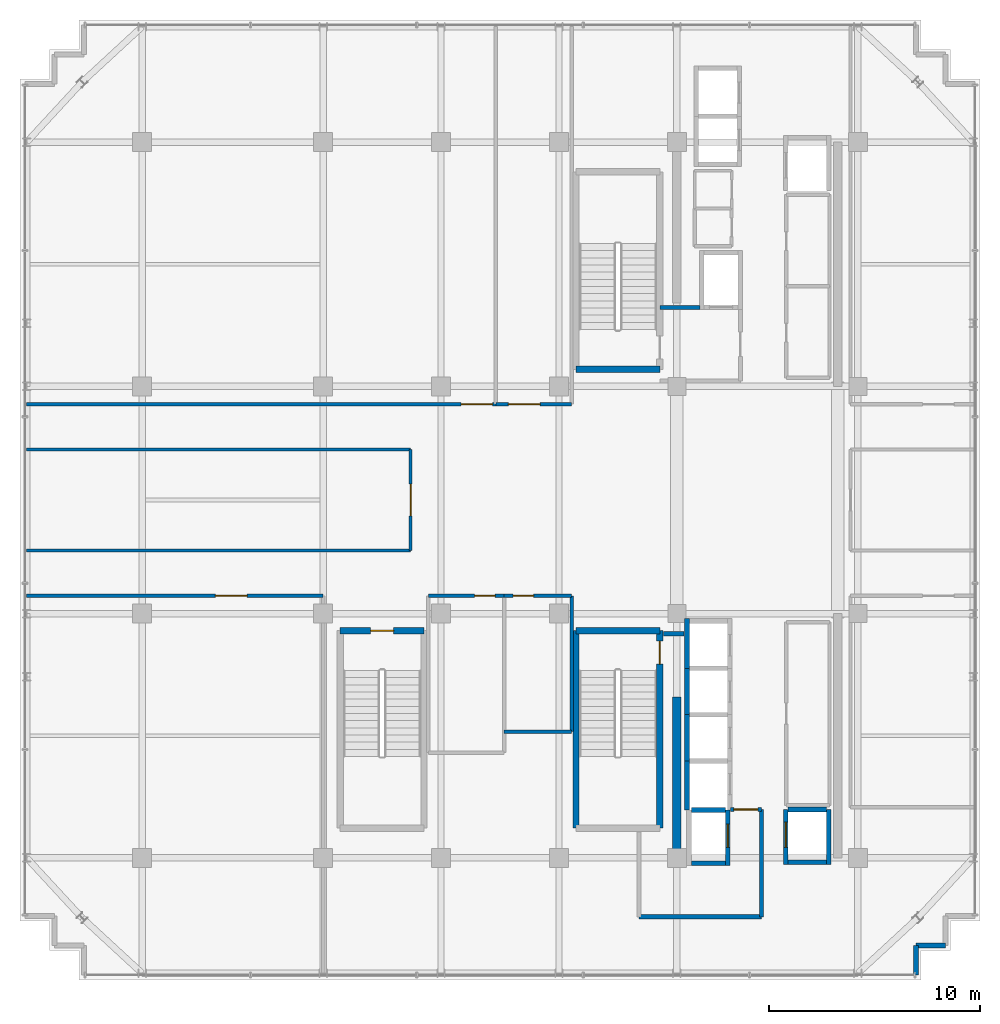
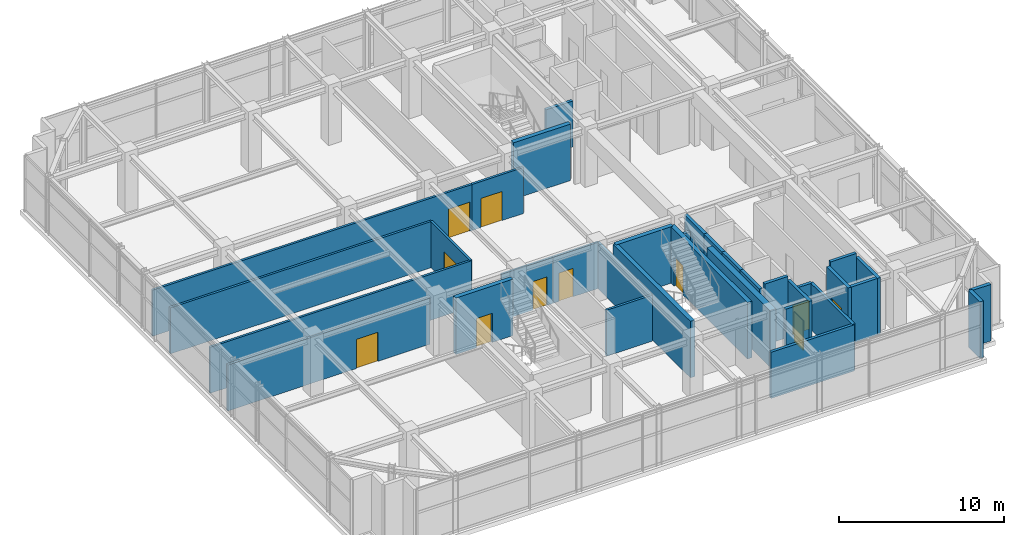
# One storey, part 17 of 20: 34 walls, 11 doors, 11 openings.
"""IFC4 building model written with IfcOpenShell, lengths in metres."""

from ifc_helpers import new_model, si_unit, direction, frame, frame_2d, origin, place, context, subcontext, project, spatial, rectangle, extrude, source, transform, mapped, material, layer, layer_set, type_object, element, fill, save


model = new_model("IFC4")

# Units and contexts
model_context = context("Model", 3, precision=1e-05, world=origin(), true_north=direction((0.0, 1.0)))
body_context = subcontext(model_context, "Body", "Model", "MODEL_VIEW")
ifc_project = project(units=[si_unit("LENGTHUNIT", "METRE"), si_unit("AREAUNIT", "SQUARE_METRE"), si_unit("VOLUMEUNIT", "CUBIC_METRE"), si_unit("PLANEANGLEUNIT", "RADIAN"), si_unit("MASSUNIT", "GRAM", prefix="KILO")], contexts=[model_context])

# Site, building, storey
site_placement = place(None, origin())
site = spatial("IfcSite", under=ifc_project, at=site_placement, CompositionType="ELEMENT")
building_placement = place(site_placement, origin())
building = spatial("IfcBuilding", under=site, at=building_placement, Name="Nahalor Promenade Grand Hotel", CompositionType="ELEMENT")
storey_placement = place(building_placement, frame((0.0, 0.0, 347.550048828125)))
storey = spatial("IfcBuildingStorey", under=building, at=storey_placement, Name="L89", CompositionType="ELEMENT", Elevation=347.550048828125)

# Walls
ifc_material_1 = material(Name="Concrete B-50 (C40/50)", Category="concrete")
ifc_layer_1 = layer(ifc_material_1, 0.39990234375)
ifc_layer_set_1 = layer_set([ifc_layer_1], Name="Concrete B-50 (C40/50)")
wall_type_1 = type_object("IfcWallType", Name="Wall-CoreShear-400", PredefinedType="SHEAR", material=ifc_layer_set_1)
shared_shape_1 = source(origin(), body_context, "Body", "SweptSolid", [
    extrude(rectangle(XDim=7.64990234375, YDim=0.39990234375, at=frame_2d((3.824951171875, 0.0))), origin(), (0.0, 0.0, 1.0), 4.169921875),
])
wall_1_placement = place(storey_placement, frame((8.39990234375, -17.0, 0.0), z_axis=(0.0, 0.0, 1.0), x_axis=(0.0, 1.0, 0.0)))
element("IfcWall", 1, at=wall_1_placement, inside=storey, type_object=wall_type_1, Name="CWALL-L89-SW", PredefinedType="SHEAR", context=body_context, shape_type="MappedRepresentation", body=[
    mapped(shared_shape_1, transform((0.0, 0.0, 0.0), scale=1.0)),
])
ifc_layer_2 = layer(ifc_material_1, 0.300048828125)
ifc_layer_set_2 = layer_set([ifc_layer_2], Name="Concrete B-50 (C40/50)")
wall_type_2 = type_object("IfcWallType", Name="Wall-ShaftShear-300", PredefinedType="SHEAR", material=ifc_layer_set_2)
shared_shape_2 = source(origin(), body_context, "Body", "SweptSolid", [
    extrude(rectangle(XDim=3.97998046875, YDim=0.300048828125, at=frame_2d((1.989990234375, 0.0))), origin(), (0.0, 0.0, 1.0), 4.169921875),
])
for number, where, z_axis, x_axis, name in (
    (2, (3.610107421875, 6.2099609375, 0.0), (0.0, 0.0, 1.0), (1.0, 0.0, 0.0), "L89 Exit Stair ST1 Shaft Wall S"),
    (3, (3.610107421875, -6.2099609375, 0.0), (0.0, 0.0, 1.0), (1.0, 0.0, 0.0), "L89 Exit Stair ST2 Shaft Wall N"),
):
    element("IfcWall", number, at=place(storey_placement, frame(where, z_axis=z_axis, x_axis=x_axis)), inside=storey, type_object=wall_type_2, Name=name, PredefinedType="SHEAR", context=body_context, shape_type="MappedRepresentation", body=[
        mapped(shared_shape_2, transform((0.0, 0.0, 0.0), scale=1.0)),
    ])

# Wall, opening, door
wall_2_placement = place(storey_placement, frame((-7.590087890625, -6.2099609375, 0.0), z_axis=(0.0, 0.0, 1.0), x_axis=(1.0, 0.0, 0.0)))
wall_2 = element("IfcWall", 4, at=wall_2_placement, inside=storey, type_object=wall_type_2, Name="L89 Exit Stair ST3 Shaft Wall N", PredefinedType="SHEAR", context=body_context, shape_type="MappedRepresentation", body=[
    mapped(shared_shape_2, transform((0.0, 0.0, 0.0), scale=1.0)),
])
opening_1_placement = place(wall_2_placement, frame((1.43994140625, 0.0, 0.0)))
opening_1 = element("IfcOpeningElement", 5, at=opening_1_placement, cuts=wall_2, Name="Opening D-ST1", PredefinedType="OPENING", context=body_context, shape_type="SweptSolid", body=[
    extrude(rectangle(XDim=1.10009765625, YDim=2.14990234375, at=frame_2d((0.550048828125, 1.074951171875))), frame((0.0, 0.159912109375, 0.0), z_axis=(0.0, -1.0, 0.0), x_axis=(1.0, 0.0, 0.0)), (0.0, 0.0, 1.0), 0.320068359375),
])
ifc_material_2 = material(Name="Steel S355JR", Category="steel")
door_type_1 = type_object("IfcDoorType", Name="Door-StairFire-1100", OperationType="NOTDEFINED", PredefinedType="DOOR", material=ifc_material_2)
shared_shape_3 = source(origin(), body_context, "Body", "SweptSolid", [
    extrude(rectangle(XDim=1.10009765625, YDim=2.14990234375, at=frame_2d((0.550048828125, 1.074951171875))), frame((0.0, 0.02490234375, 0.0), z_axis=(0.0, -1.0, 0.0), x_axis=(1.0, 0.0, 0.0)), (0.0, 0.0, 1.0), 0.050048828125),
])
door_1_placement = place(opening_1_placement, frame((1.10009765625, 0.0, 0.0), z_axis=(0.0, 0.0, 1.0), x_axis=(-1.0, 0.0, 0.0)))
door_1 = element("IfcDoor", 6, at=door_1_placement, inside=storey, type_object=door_type_1, Name="DR-STAIR-ST3-L89", OperationType="SINGLE_SWING_RIGHT", OverallHeight=2.14990234375, OverallWidth=1.10009765625, PredefinedType="DOOR", context=body_context, shape_type="MappedRepresentation", body=[
    mapped(shared_shape_3, transform((0.0, 0.0, 0.0), scale=1.0)),
])
fill(opening_1, door_1)

# Wall
shared_shape_4 = source(origin(), body_context, "Body", "SweptSolid", [
    extrude(rectangle(XDim=9.380126953125, YDim=0.300048828125, at=frame_2d((4.68994140625, 0.0))), origin(), (0.0, 0.0, 1.0), 4.169921875),
])
wall_3_placement = place(storey_placement, frame((3.610107421875, -15.590087890625, 0.0), z_axis=(0.0, 0.0, 1.0), x_axis=(0.0, 1.0, 0.0)))
element("IfcWall", 7, at=wall_3_placement, inside=storey, type_object=wall_type_2, Name="L89 Exit Stair ST2 Shaft Wall W", PredefinedType="SHEAR", context=body_context, shape_type="MappedRepresentation", body=[
    mapped(shared_shape_4, transform((0.0, 0.0, 0.0), scale=1.0)),
])

# Wall, opening, door
wall_4_placement = place(storey_placement, frame((7.590087890625, -15.590087890625, 0.0), z_axis=(0.0, 0.0, 1.0), x_axis=(0.0, 1.0, 0.0)))
wall_4 = element("IfcWall", 8, at=wall_4_placement, inside=storey, type_object=wall_type_2, Name="L89 Exit Stair ST2 Shaft Wall E", PredefinedType="SHEAR", context=body_context, shape_type="MappedRepresentation", body=[
    mapped(shared_shape_4, transform((0.0, 0.0, 0.0), scale=1.0)),
])
opening_2_placement = place(wall_4_placement, frame((7.7900390625, 0.0, 0.0)))
opening_2 = element("IfcOpeningElement", 9, at=opening_2_placement, cuts=wall_4, Name="Opening D-ST1", PredefinedType="OPENING", context=body_context, shape_type="SweptSolid", body=[
    extrude(rectangle(XDim=1.10009765625, YDim=2.14990234375, at=frame_2d((0.550048828125, 1.074951171875))), frame((0.0, 0.159912109375, 0.0), z_axis=(0.0, -1.0, 0.0), x_axis=(1.0, 0.0, 0.0)), (0.0, 0.0, 1.0), 0.320068359375),
])
door_2_placement = place(opening_2_placement, origin())
door_2 = element("IfcDoor", 10, at=door_2_placement, inside=storey, type_object=door_type_1, Name="DR-STAIR-ST2-L89", OperationType="SINGLE_SWING_RIGHT", OverallHeight=2.14990234375, OverallWidth=1.10009765625, PredefinedType="DOOR", context=body_context, shape_type="MappedRepresentation", body=[
    mapped(shared_shape_3, transform((0.0, 0.0, 0.0), scale=1.0)),
])
fill(opening_2, door_2)

# Walls
ifc_layer_3 = layer(ifc_material_1, 0.219970703125)
ifc_layer_set_3 = layer_set([ifc_layer_3], Name="Concrete B-50 (C40/50)")
wall_type_3 = type_object("IfcWallType", Name="Wall-LiftShaft-220", PredefinedType="SHEAR", material=ifc_layer_set_3)
shared_shape_5 = source(origin(), body_context, "Body", "SweptSolid", [
    extrude(rectangle(XDim=1.820068359375, YDim=0.219970703125, at=frame_2d((0.91015625, 0.0))), origin(), (0.0, 0.0, 1.0), 4.5),
])
wall_5_placement = place(storey_placement, frame((13.68994140625, -14.699951171875, 0.0), z_axis=(0.0, 0.0, 1.0), x_axis=(1.0, 0.0, 0.0)))
element("IfcWall", 11, at=wall_5_placement, inside=storey, type_object=wall_type_3, Name="L89 Lift SV2 Hoistway Wall N", PredefinedType="SHEAR", context=body_context, shape_type="MappedRepresentation", body=[
    mapped(shared_shape_5, transform((0.0, 0.0, 0.0), scale=1.0)),
])
shared_shape_6 = source(origin(), body_context, "Body", "SweptSolid", [
    extrude(rectangle(XDim=2.360107421875, YDim=0.219970703125, at=frame_2d((1.18017578125, 0.0))), origin(), (0.0, 0.0, 1.0), 4.169921875),
])
wall_6_placement = place(storey_placement, frame((8.8798828125, -8.0, 0.0), z_axis=(0.0, 0.0, 1.0), x_axis=(0.0, 1.0, 0.0)))
element("IfcWall", 12, at=wall_6_placement, inside=storey, type_object=wall_type_3, Name="L89 Lift PL9 Hoistway Wall W", PredefinedType="SHEAR", context=body_context, shape_type="MappedRepresentation", body=[
    mapped(shared_shape_6, transform((0.0, 0.0, 0.0), scale=1.0)),
])
shared_shape_7 = source(origin(), body_context, "Body", "SweptSolid", [
    extrude(rectangle(XDim=1.820068359375, YDim=0.219970703125, at=frame_2d((0.91015625, 0.0))), origin(), (0.0, 0.0, 1.0), 4.169921875),
])
wall_7_placement = place(storey_placement, frame((13.68994140625, -17.199951171875, 0.0), z_axis=(0.0, 0.0, 1.0), x_axis=(1.0, 0.0, 0.0)))
element("IfcWall", 13, at=wall_7_placement, inside=storey, type_object=wall_type_3, Name="L89 Lift SV2 Hoistway Wall S", PredefinedType="SHEAR", context=body_context, shape_type="MappedRepresentation", body=[
    mapped(shared_shape_7, transform((0.0, 0.0, 0.0), scale=1.0)),
])
shared_shape_8 = source(origin(), body_context, "Body", "SweptSolid", [
    extrude(rectangle(XDim=2.199951171875, YDim=0.219970703125, at=frame_2d((1.10009765625, 0.0))), origin(), (0.0, 0.0, 1.0), 4.169921875),
])
for number, where, z_axis, x_axis, name in (
    (14, (8.8798828125, -10.199951171875, 0.0), (0.0, 0.0, 1.0), (0.0, 1.0, 0.0), "L89 Lift PL10 Hoistway Wall W"),
    (15, (8.8798828125, -12.39990234375, 0.0), (0.0, 0.0, 1.0), (0.0, 1.0, 0.0), "L89 Lift PL11 Hoistway Wall W"),
):
    element("IfcWall", number, at=place(storey_placement, frame(where, z_axis=z_axis, x_axis=x_axis)), inside=storey, type_object=wall_type_3, Name=name, PredefinedType="SHEAR", context=body_context, shape_type="MappedRepresentation", body=[
        mapped(shared_shape_8, transform((0.0, 0.0, 0.0), scale=1.0)),
    ])
shared_shape_9 = source(origin(), body_context, "Body", "SweptSolid", [
    extrude(rectangle(XDim=2.3251953125, YDim=0.219970703125, at=frame_2d((1.16259765625, 0.0))), origin(), (0.0, 0.0, 1.0), 4.169921875),
])
wall_8_placement = place(storey_placement, frame((8.8798828125, -14.72509765625, 0.0), z_axis=(0.0, 0.0, 1.0), x_axis=(0.0, 1.0, 0.0)))
element("IfcWall", 16, at=wall_8_placement, inside=storey, type_object=wall_type_3, Name="L89 Lift PL12 Hoistway Wall W", PredefinedType="SHEAR", context=body_context, shape_type="MappedRepresentation", body=[
    mapped(shared_shape_9, transform((0.0, 0.0, 0.0), scale=1.0)),
])
shared_shape_10 = source(origin(), body_context, "Body", "SweptSolid", [
    extrude(rectangle(XDim=1.619873046875, YDim=0.219970703125, at=frame_2d((0.81005859375, 0.0))), origin(), (0.0, 0.0, 1.0), 4.5),
])
wall_9_placement = place(storey_placement, frame((9.090087890625, -14.72509765625, 0.0), z_axis=(0.0, 0.0, 1.0), x_axis=(1.0, 0.0, 0.0)))
element("IfcWall", 17, at=wall_9_placement, inside=storey, type_object=wall_type_3, Name="L89 Lift FL2 Hoistway Wall N", PredefinedType="SHEAR", context=body_context, shape_type="MappedRepresentation", body=[
    mapped(shared_shape_10, transform((0.0, 0.0, 0.0), scale=1.0)),
])

# Wall, opening, door
shared_shape_11 = source(origin(), body_context, "Body", "SweptSolid", [
    extrude(rectangle(XDim=2.635009765625, YDim=0.219970703125, at=frame_2d((1.3173828125, 0.0))), origin(), (0.0, 0.0, 1.0), 4.169921875),
])
wall_10_placement = place(storey_placement, frame((10.820068359375, -17.360107421875, 0.0), z_axis=(0.0, 0.0, 1.0), x_axis=(0.0, 1.0, 0.0)))
wall_10 = element("IfcWall", 18, at=wall_10_placement, inside=storey, type_object=wall_type_3, Name="L89 Lift FL2 Hoistway Wall E", PredefinedType="SHEAR", context=body_context, shape_type="MappedRepresentation", body=[
    mapped(shared_shape_11, transform((0.0, 0.0, 0.0), scale=1.0)),
])
opening_3_placement = place(wall_10_placement, frame((0.860107421875, 0.0, 0.0)))
opening_3 = element("IfcOpeningElement", 19, at=opening_3_placement, cuts=wall_10, Name="Opening LD-02", PredefinedType="OPENING", context=body_context, shape_type="SweptSolid", body=[
    extrude(rectangle(XDim=1.10009765625, YDim=2.199951171875, at=frame_2d((0.550048828125, 1.10009765625))), frame((0.0, 0.119873046875, 0.0), z_axis=(0.0, -1.0, 0.0), x_axis=(1.0, 0.0, 0.0)), (0.0, 0.0, 1.0), 0.239990234375),
])
door_type_2 = type_object("IfcDoorType", Name="Door-LiftFF-1100", OperationType="DOUBLE_DOOR_SLIDING", PredefinedType="DOOR", material=ifc_material_2)
shared_shape_12 = source(origin(), body_context, "Body", "SweptSolid", [
    extrude(rectangle(XDim=1.10009765625, YDim=2.199951171875, at=frame_2d((0.550048828125, 1.10009765625))), frame((0.0, 0.02490234375, 0.0), z_axis=(0.0, -1.0, 0.0), x_axis=(1.0, 0.0, 0.0)), (0.0, 0.0, 1.0), 0.050048828125),
])
door_3_placement = place(opening_3_placement, frame((1.10009765625, 0.0, 0.0), z_axis=(0.0, 0.0, 1.0), x_axis=(-1.0, 0.0, 0.0)))
door_3 = element("IfcDoor", 20, at=door_3_placement, inside=storey, type_object=door_type_2, Name="DR-LIFT-FL2-L89", OperationType="DOUBLE_DOOR_SLIDING", OverallHeight=2.199951171875, OverallWidth=1.10009765625, PredefinedType="DOOR", context=body_context, shape_type="MappedRepresentation", body=[
    mapped(shared_shape_12, transform((0.0, 0.0, 0.0), scale=1.0)),
])
fill(opening_3, door_3)

# Wall
shared_shape_13 = source(origin(), body_context, "Body", "SweptSolid", [
    extrude(rectangle(XDim=1.619873046875, YDim=0.219970703125, at=frame_2d((0.81005859375, 0.0))), origin(), (0.0, 0.0, 1.0), 4.169921875),
])
wall_11_placement = place(storey_placement, frame((9.090087890625, -17.25, 0.0), z_axis=(0.0, 0.0, 1.0), x_axis=(1.0, 0.0, 0.0)))
element("IfcWall", 21, at=wall_11_placement, inside=storey, type_object=wall_type_3, Name="L89 Lift FL2 Hoistway Wall S", PredefinedType="SHEAR", context=body_context, shape_type="MappedRepresentation", body=[
    mapped(shared_shape_13, transform((0.0, 0.0, 0.0), scale=1.0)),
])

# Wall, opening, door
shared_shape_14 = source(origin(), body_context, "Body", "SweptSolid", [
    extrude(rectangle(XDim=2.610107421875, YDim=0.219970703125, at=frame_2d((1.30517578125, 0.0))), origin(), (0.0, 0.0, 1.0), 4.169921875),
])
wall_12_placement = place(storey_placement, frame((13.580078125, -17.31005859375, 0.0), z_axis=(0.0, 0.0, 1.0), x_axis=(0.0, 1.0, 0.0)))
wall_12 = element("IfcWall", 22, at=wall_12_placement, inside=storey, type_object=wall_type_3, Name="L89 Lift SV2 Hoistway Wall W", PredefinedType="SHEAR", context=body_context, shape_type="MappedRepresentation", body=[
    mapped(shared_shape_14, transform((0.0, 0.0, 0.0), scale=1.0)),
])
opening_4_placement = place(wall_12_placement, frame((0.81005859375, 0.0, 0.0)))
opening_4 = element("IfcOpeningElement", 23, at=opening_4_placement, cuts=wall_12, Name="Opening LD-03", PredefinedType="OPENING", context=body_context, shape_type="SweptSolid", body=[
    extrude(rectangle(XDim=1.199951171875, YDim=2.199951171875, at=frame_2d((0.60009765625, 1.10009765625))), frame((0.0, 0.119873046875, 0.0), z_axis=(0.0, -1.0, 0.0), x_axis=(1.0, 0.0, 0.0)), (0.0, 0.0, 1.0), 0.239990234375),
])
door_type_3 = type_object("IfcDoorType", Name="Door-LiftService-1200", OperationType="DOUBLE_DOOR_SLIDING", PredefinedType="DOOR", material=ifc_material_2)
shared_shape_15 = source(origin(), body_context, "Body", "SweptSolid", [
    extrude(rectangle(XDim=1.199951171875, YDim=2.199951171875, at=frame_2d((0.60009765625, 1.10009765625))), frame((0.0, 0.02490234375, 0.0), z_axis=(0.0, -1.0, 0.0), x_axis=(1.0, 0.0, 0.0)), (0.0, 0.0, 1.0), 0.050048828125),
])
door_4_placement = place(opening_4_placement, origin())
door_4 = element("IfcDoor", 24, at=door_4_placement, inside=storey, type_object=door_type_3, Name="DR-LIFT-SV2-L89", OperationType="DOUBLE_DOOR_SLIDING", OverallHeight=2.199951171875, OverallWidth=1.199951171875, PredefinedType="DOOR", context=body_context, shape_type="MappedRepresentation", body=[
    mapped(shared_shape_15, transform((0.0, 0.0, 0.0), scale=1.0)),
])
fill(opening_4, door_4)

# Walls
wall_13_placement = place(storey_placement, frame((15.6201171875, -17.31005859375, 0.0), z_axis=(0.0, 0.0, 1.0), x_axis=(0.0, 1.0, 0.0)))
element("IfcWall", 25, at=wall_13_placement, inside=storey, type_object=wall_type_3, Name="L89 Lift SV2 Hoistway Wall E", PredefinedType="SHEAR", context=body_context, shape_type="MappedRepresentation", body=[
    mapped(shared_shape_14, transform((0.0, 0.0, 0.0), scale=1.0)),
])
ifc_material_3 = material(Name="Concrete B-40 (C32/40)", Category="concrete")
ifc_layer_4 = layer(ifc_material_3, 0.25)
ifc_layer_set_4 = layer_set([ifc_layer_4], Name="Concrete B-40 (C32/40)")
wall_type_4 = type_object("IfcWallType", Name="Wall-BronzePier-250", PredefinedType="STANDARD", material=ifc_layer_set_4)
shared_shape_16 = source(origin(), body_context, "Body", "SweptSolid", [
    extrude(rectangle(XDim=1.400146484375, YDim=0.25, at=frame_2d((0.7001953125, 0.0))), origin(), (0.0, 0.0, 1.0), 4.169921875),
])
wall_14_placement = place(storey_placement, frame((19.760009765625, -22.56005859375, 0.0), z_axis=(0.0, 0.0, 1.0), x_axis=(0.0, 1.0, 0.0)))
element("IfcWall", 26, at=wall_14_placement, inside=storey, type_object=wall_type_4, Name="W-L89-SR-01", PredefinedType="STANDARD", context=body_context, shape_type="MappedRepresentation", body=[
    mapped(shared_shape_16, transform((0.0, 0.0, 0.0), scale=1.0)),
])
shared_shape_17 = source(origin(), body_context, "Body", "SweptSolid", [
    extrude(rectangle(XDim=1.39990234375, YDim=0.25, at=frame_2d((0.699951171875, 0.0))), origin(), (0.0, 0.0, 1.0), 4.169921875),
])
wall_15_placement = place(storey_placement, frame((19.760009765625, -21.159912109375, 0.0), z_axis=(0.0, 0.0, 1.0), x_axis=(1.0, 0.0, 0.0)))
element("IfcWall", 27, at=wall_15_placement, inside=storey, type_object=wall_type_4, Name="W-L89-SR-02", PredefinedType="STANDARD", context=body_context, shape_type="MappedRepresentation", body=[
    mapped(shared_shape_17, transform((0.0, 0.0, 0.0), scale=1.0)),
])
ifc_layer_5 = layer(ifc_material_3, 0.199951171875)
ifc_layer_set_5 = layer_set([ifc_layer_5], Name="Concrete B-40 (C32/40)")
wall_type_5 = type_object("IfcWallType", Name="Wall-PartFire-200", PredefinedType="PARTITIONING", material=ifc_layer_set_5)
shared_shape_18 = source(origin(), body_context, "Body", "SweptSolid", [
    extrude(rectangle(XDim=1.89990234375, YDim=0.199951171875, at=frame_2d((0.949951171875, 0.0))), origin(), (0.0, 0.0, 1.0), 3.39990234375),
])
wall_16_placement = place(storey_placement, frame((7.60009765625, 9.14990234375, 0.0), z_axis=(0.0, 0.0, 1.0), x_axis=(1.0, 0.0, 0.0)))
element("IfcWall", 28, at=wall_16_placement, inside=storey, type_object=wall_type_5, Name="W-L89-FF1-N", PredefinedType="PARTITIONING", context=body_context, shape_type="MappedRepresentation", body=[
    mapped(shared_shape_18, transform((0.0, 0.0, 0.0), scale=1.0)),
])
shared_shape_19 = source(origin(), body_context, "Body", "SweptSolid", [
    extrude(rectangle(XDim=5.81982421875, YDim=0.199951171875, at=frame_2d((2.909912109375, 0.0))), origin(), (0.0, 0.0, 1.0), 3.39990234375),
])
wall_17_placement = place(storey_placement, frame((6.60009765625, -19.800048828125, 0.0), z_axis=(0.0, 0.0, 1.0), x_axis=(1.0, 0.0, 0.0)))
element("IfcWall", 29, at=wall_17_placement, inside=storey, type_object=wall_type_5, Name="W-L89-FF2-S1", PredefinedType="PARTITIONING", context=body_context, shape_type="MappedRepresentation", body=[
    mapped(shared_shape_19, transform((0.0, 0.0, 0.0), scale=1.0)),
])
shared_shape_20 = source(origin(), body_context, "Body", "SweptSolid", [
    extrude(rectangle(XDim=5.10009765625, YDim=0.199951171875, at=frame_2d((2.550048828125, 0.0))), origin(), (0.0, 0.0, 1.0), 3.39990234375),
])
wall_18_placement = place(storey_placement, frame((12.419921875, -19.800048828125, 0.0), z_axis=(0.0, 0.0, 1.0), x_axis=(0.0, 1.0, 0.0)))
element("IfcWall", 30, at=wall_18_placement, inside=storey, type_object=wall_type_5, Name="W-L89-FF2-E", PredefinedType="PARTITIONING", context=body_context, shape_type="MappedRepresentation", body=[
    mapped(shared_shape_20, transform((0.0, 0.0, 0.0), scale=1.0)),
])

# Wall, opening, door
shared_shape_21 = source(origin(), body_context, "Body", "SweptSolid", [
    extrude(rectangle(XDim=1.4599609375, YDim=0.199951171875, at=frame_2d((0.72998046875, 0.0))), origin(), (0.0, 0.0, 1.0), 3.39990234375),
])
wall_19_placement = place(storey_placement, frame((10.9599609375, -14.699951171875, 0.0), z_axis=(0.0, 0.0, 1.0), x_axis=(1.0, 0.0, 0.0)))
wall_19 = element("IfcWall", 31, at=wall_19_placement, inside=storey, type_object=wall_type_5, Name="W-L89-FF2-N1", PredefinedType="PARTITIONING", context=body_context, shape_type="MappedRepresentation", body=[
    mapped(shared_shape_21, transform((0.0, 0.0, 0.0), scale=1.0)),
])
opening_5_placement = place(wall_19_placement, frame((0.14501953125, 0.0, 0.0)))
opening_5 = element("IfcOpeningElement", 32, at=opening_5_placement, cuts=wall_19, Name="Opening D-FF1", PredefinedType="OPENING", context=body_context, shape_type="SweptSolid", body=[
    extrude(rectangle(XDim=1.14990234375, YDim=2.14990234375, at=frame_2d((0.574951171875, 1.074951171875))), frame((0.0, 0.10986328125, 0.0), z_axis=(0.0, -1.0, 0.0), x_axis=(1.0, 0.0, 0.0)), (0.0, 0.0, 1.0), 0.219970703125),
])
door_type_4 = type_object("IfcDoorType", Name="Door-FFLobby-1150", OperationType="NOTDEFINED", PredefinedType="DOOR", material=ifc_material_2)
shared_shape_22 = source(origin(), body_context, "Body", "SweptSolid", [
    extrude(rectangle(XDim=1.14990234375, YDim=2.14990234375, at=frame_2d((0.574951171875, 1.074951171875))), frame((0.0, 0.02490234375, 0.0), z_axis=(0.0, -1.0, 0.0), x_axis=(1.0, 0.0, 0.0)), (0.0, 0.0, 1.0), 0.050048828125),
])
door_5_placement = place(opening_5_placement, origin())
door_5 = element("IfcDoor", 33, at=door_5_placement, inside=storey, type_object=door_type_4, Name="DR-L89-FFL2", OperationType="SINGLE_SWING_RIGHT", OverallHeight=2.14990234375, OverallWidth=1.14990234375, PredefinedType="DOOR", context=body_context, shape_type="MappedRepresentation", body=[
    mapped(shared_shape_22, transform((0.0, 0.0, 0.0), scale=1.0)),
])
fill(opening_5, door_5)

# Wall
shared_shape_23 = source(origin(), body_context, "Body", "SweptSolid", [
    extrude(rectangle(XDim=0.969970703125, YDim=0.199951171875, at=frame_2d((0.48486328125, 0.0))), origin(), (0.0, 0.0, 1.0), 3.39990234375),
])
wall_20_placement = place(storey_placement, frame((7.77001953125, -6.35009765625, 0.0), z_axis=(0.0, 0.0, 1.0), x_axis=(1.0, 0.0, 0.0)))
element("IfcWall", 34, at=wall_20_placement, inside=storey, type_object=wall_type_5, Name="W-L89-FF2-N2", PredefinedType="PARTITIONING", context=body_context, shape_type="MappedRepresentation", body=[
    mapped(shared_shape_23, transform((0.0, 0.0, 0.0), scale=1.0)),
])

# Wall, opening, door
ifc_material_4 = material(Name="Acoustic Mineral Gypsum", Category="gypsum")
ifc_layer_6 = layer(ifc_material_4, 0.159912109375)
ifc_layer_set_6 = layer_set([ifc_layer_6], Name="Acoustic Mineral Gypsum")
wall_type_6 = type_object("IfcWallType", Name="Wall-PartCorridor-160", PredefinedType="PARTITIONING", material=ifc_layer_set_6)
shared_shape_24 = source(origin(), body_context, "Body", "SweptSolid", [
    extrude(rectangle(XDim=4.7998046875, YDim=0.159912109375, at=frame_2d((2.39990234375, 0.0))), origin(), (0.0, 0.0, 1.0), 3.39990234375),
])
wall_21_placement = place(storey_placement, frame((-4.25, -2.39990234375, 0.0), z_axis=(0.0, 0.0, 1.0), x_axis=(0.0, 1.0, 0.0)))
wall_21 = element("IfcWall", 35, at=wall_21_placement, inside=storey, type_object=wall_type_6, Name="W-L89-SK01-E", PredefinedType="PARTITIONING", context=body_context, shape_type="MappedRepresentation", body=[
    mapped(shared_shape_24, transform((0.0, 0.0, 0.0), scale=1.0)),
])
opening_6_placement = place(wall_21_placement, frame((1.64990234375, 0.0, 0.0)))
opening_6 = element("IfcOpeningElement", 36, at=opening_6_placement, cuts=wall_21, Name="Opening D-02", PredefinedType="OPENING", context=body_context, shape_type="SweptSolid", body=[
    extrude(rectangle(XDim=1.5, YDim=2.14990234375, at=frame_2d((0.75, 1.074951171875))), frame((0.0, 0.08984375, 0.0), z_axis=(0.0, -1.0, 0.0), x_axis=(1.0, 0.0, 0.0)), (0.0, 0.0, 1.0), 0.179931640625),
])
ifc_material_5 = material(Name="Fire-Rated Timber Composite", Category="wood")
door_type_5 = type_object("IfcDoorType", Name="Door-SuiteDouble-1500", OperationType="DOUBLE_DOOR_SINGLE_SWING", PredefinedType="DOOR", material=ifc_material_5)
shared_shape_25 = source(origin(), body_context, "Body", "SweptSolid", [
    extrude(rectangle(XDim=1.5, YDim=2.14990234375, at=frame_2d((0.75, 1.074951171875))), frame((0.0, 0.02490234375, 0.0), z_axis=(0.0, -1.0, 0.0), x_axis=(1.0, 0.0, 0.0)), (0.0, 0.0, 1.0), 0.050048828125),
])
door_6_placement = place(opening_6_placement, origin())
door_6 = element("IfcDoor", 37, at=door_6_placement, inside=storey, type_object=door_type_5, Name="DR-L89-SK01", OperationType="DOUBLE_DOOR_SINGLE_SWING", OverallHeight=2.14990234375, OverallWidth=1.5, PredefinedType="DOOR", context=body_context, shape_type="MappedRepresentation", body=[
    mapped(shared_shape_25, transform((0.0, 0.0, 0.0), scale=1.0)),
])
fill(opening_6, door_6)

# Walls
shared_shape_26 = source(origin(), body_context, "Body", "SweptSolid", [
    extrude(rectangle(XDim=18.25, YDim=0.159912109375, at=frame_2d((9.125, 0.0))), origin(), (0.0, 0.0, 1.0), 3.39990234375),
])
for number, where, z_axis, x_axis, name in (
    (38, (-22.5, -2.39990234375, 0.0), (0.0, 0.0, 1.0), (1.0, 0.0, 0.0), "W-L89-SK01-S"),
    (39, (-22.5, 2.39990234375, 0.0), (0.0, 0.0, 1.0), (1.0, 0.0, 0.0), "W-L89-SK01-N"),
):
    element("IfcWall", number, at=place(storey_placement, frame(where, z_axis=z_axis, x_axis=x_axis)), inside=storey, type_object=wall_type_6, Name=name, PredefinedType="PARTITIONING", context=body_context, shape_type="MappedRepresentation", body=[
        mapped(shared_shape_26, transform((0.0, 0.0, 0.0), scale=1.0)),
    ])

# Wall, opening, door
shared_shape_27 = source(origin(), body_context, "Body", "SweptSolid", [
    extrude(rectangle(XDim=22.300048828125, YDim=0.159912109375, at=frame_2d((11.14990234375, 0.0))), origin(), (0.0, 0.0, 1.0), 3.39990234375),
])
wall_22_placement = place(storey_placement, frame((-22.5, 4.550048828125, 0.0), z_axis=(0.0, 0.0, 1.0), x_axis=(1.0, 0.0, 0.0)))
wall_22 = element("IfcWall", 40, at=wall_22_placement, inside=storey, type_object=wall_type_6, Name="W-L89-SK03-S", PredefinedType="PARTITIONING", context=body_context, shape_type="MappedRepresentation", body=[
    mapped(shared_shape_27, transform((0.0, 0.0, 0.0), scale=1.0)),
])
opening_7_placement = place(wall_22_placement, frame((20.64990234375, 0.0, 0.0)))
opening_7 = element("IfcOpeningElement", 41, at=opening_7_placement, cuts=wall_22, Name="Opening D-02", PredefinedType="OPENING", context=body_context, shape_type="SweptSolid", body=[
    extrude(rectangle(XDim=1.5, YDim=2.14990234375, at=frame_2d((0.75, 1.074951171875))), frame((0.0, 0.08984375, 0.0), z_axis=(0.0, -1.0, 0.0), x_axis=(1.0, 0.0, 0.0)), (0.0, 0.0, 1.0), 0.179931640625),
])
door_7_placement = place(opening_7_placement, origin())
door_7 = element("IfcDoor", 42, at=door_7_placement, inside=storey, type_object=door_type_5, Name="DR-L89-SK03", OperationType="DOUBLE_DOOR_SINGLE_SWING", OverallHeight=2.14990234375, OverallWidth=1.5, PredefinedType="DOOR", context=body_context, shape_type="MappedRepresentation", body=[
    mapped(shared_shape_25, transform((0.0, 0.0, 0.0), scale=1.0)),
])
fill(opening_7, door_7)

shared_shape_28 = source(origin(), body_context, "Body", "SweptSolid", [
    extrude(rectangle(XDim=3.599853515625, YDim=0.159912109375, at=frame_2d((1.7998046875, 0.0))), origin(), (0.0, 0.0, 1.0), 3.39990234375),
])
wall_23_placement = place(storey_placement, frame((-0.199951171875, 4.550048828125, 0.0), z_axis=(0.0, 0.0, 1.0), x_axis=(1.0, 0.0, 0.0)))
wall_23 = element("IfcWall", 43, at=wall_23_placement, inside=storey, type_object=wall_type_6, Name="W-L89-SK04-S", PredefinedType="PARTITIONING", context=body_context, shape_type="MappedRepresentation", body=[
    mapped(shared_shape_28, transform((0.0, 0.0, 0.0), scale=1.0)),
])
opening_8_placement = place(wall_23_placement, frame((0.60009765625, 0.0, 0.0)))
opening_8 = element("IfcOpeningElement", 44, at=opening_8_placement, cuts=wall_23, Name="Opening D-02", PredefinedType="OPENING", context=body_context, shape_type="SweptSolid", body=[
    extrude(rectangle(XDim=1.5, YDim=2.14990234375, at=frame_2d((0.75, 1.074951171875))), frame((0.0, 0.08984375, 0.0), z_axis=(0.0, -1.0, 0.0), x_axis=(1.0, 0.0, 0.0)), (0.0, 0.0, 1.0), 0.179931640625),
])
door_8_placement = place(opening_8_placement, origin())
door_8 = element("IfcDoor", 45, at=door_8_placement, inside=storey, type_object=door_type_5, Name="DR-L89-SK04", OperationType="DOUBLE_DOOR_SINGLE_SWING", OverallHeight=2.14990234375, OverallWidth=1.5, PredefinedType="DOOR", context=body_context, shape_type="MappedRepresentation", body=[
    mapped(shared_shape_25, transform((0.0, 0.0, 0.0), scale=1.0)),
])
fill(opening_8, door_8)

wall_24_placement = place(storey_placement, frame((-3.39990234375, -4.550048828125, 0.0), z_axis=(0.0, 0.0, 1.0), x_axis=(1.0, 0.0, 0.0)))
wall_24 = element("IfcWall", 46, at=wall_24_placement, inside=storey, type_object=wall_type_6, Name="W-L89-SK08-N", PredefinedType="PARTITIONING", context=body_context, shape_type="MappedRepresentation", body=[
    mapped(shared_shape_28, transform((0.0, 0.0, 0.0), scale=1.0)),
])
opening_9_placement = place(wall_24_placement, frame((2.18994140625, 0.0, 0.0)))
opening_9 = element("IfcOpeningElement", 47, at=opening_9_placement, cuts=wall_24, Name="Opening D-05", PredefinedType="OPENING", context=body_context, shape_type="SweptSolid", body=[
    extrude(rectangle(XDim=0.97998046875, YDim=2.10009765625, at=frame_2d((0.489990234375, 1.050048828125))), frame((0.0, 0.08984375, 0.0), z_axis=(0.0, -1.0, 0.0), x_axis=(1.0, 0.0, 0.0)), (0.0, 0.0, 1.0), 0.179931640625),
])
door_type_6 = type_object("IfcDoorType", Name="Door-AccessibleWC-980", OperationType="NOTDEFINED", PredefinedType="DOOR", material=ifc_material_5)
shared_shape_29 = source(origin(), body_context, "Body", "SweptSolid", [
    extrude(rectangle(XDim=0.97998046875, YDim=2.10009765625, at=frame_2d((0.489990234375, 1.050048828125))), frame((0.0, 0.02490234375, 0.0), z_axis=(0.0, -1.0, 0.0), x_axis=(1.0, 0.0, 0.0)), (0.0, 0.0, 1.0), 0.050048828125),
])
door_9_placement = place(opening_9_placement, frame((0.97998046875, 0.0, 0.0), z_axis=(0.0, 0.0, 1.0), x_axis=(-1.0, 0.0, 0.0)))
door_9 = element("IfcDoor", 48, at=door_9_placement, inside=storey, type_object=door_type_6, Name="DR-L89-SK08", OperationType="SINGLE_SWING_LEFT", OverallHeight=2.10009765625, OverallWidth=0.97998046875, PredefinedType="DOOR", context=body_context, shape_type="MappedRepresentation", body=[
    mapped(shared_shape_29, transform((0.0, 0.0, 0.0), scale=1.0)),
])
fill(opening_9, door_9)

shared_shape_30 = source(origin(), body_context, "Body", "SweptSolid", [
    extrude(rectangle(XDim=14.10009765625, YDim=0.159912109375, at=frame_2d((7.050048828125, 0.0))), origin(), (0.0, 0.0, 1.0), 3.39990234375),
])
wall_25_placement = place(storey_placement, frame((-22.5, -4.550048828125, 0.0), z_axis=(0.0, 0.0, 1.0), x_axis=(1.0, 0.0, 0.0)))
wall_25 = element("IfcWall", 49, at=wall_25_placement, inside=storey, type_object=wall_type_6, Name="W-L89-SK05-N", PredefinedType="PARTITIONING", context=body_context, shape_type="MappedRepresentation", body=[
    mapped(shared_shape_30, transform((0.0, 0.0, 0.0), scale=1.0)),
])
opening_10_placement = place(wall_25_placement, frame((8.98291015625, 0.0, 0.0)))
opening_10 = element("IfcOpeningElement", 50, at=opening_10_placement, cuts=wall_25, Name="Opening D-02", PredefinedType="OPENING", context=body_context, shape_type="SweptSolid", body=[
    extrude(rectangle(XDim=1.5, YDim=2.14990234375, at=frame_2d((0.75, 1.074951171875))), frame((0.0, 0.08984375, 0.0), z_axis=(0.0, -1.0, 0.0), x_axis=(1.0, 0.0, 0.0)), (0.0, 0.0, 1.0), 0.179931640625),
])
door_10_placement = place(opening_10_placement, frame((1.5, 0.0, 0.0), z_axis=(0.0, 0.0, 1.0), x_axis=(-1.0, 0.0, 0.0)))
door_10 = element("IfcDoor", 51, at=door_10_placement, inside=storey, type_object=door_type_5, Name="DR-L89-SK05", OperationType="DOUBLE_DOOR_SINGLE_SWING", OverallHeight=2.14990234375, OverallWidth=1.5, PredefinedType="DOOR", context=body_context, shape_type="MappedRepresentation", body=[
    mapped(shared_shape_25, transform((0.0, 0.0, 0.0), scale=1.0)),
])
fill(opening_10, door_10)

# Wall
shared_shape_31 = source(origin(), body_context, "Body", "SweptSolid", [
    extrude(rectangle(XDim=3.199951171875, YDim=0.159912109375, at=frame_2d((1.60009765625, 0.0))), origin(), (0.0, 0.0, 1.0), 3.39990234375),
])
wall_26_placement = place(storey_placement, frame((0.199951171875, -11.0, 0.0), z_axis=(0.0, 0.0, 1.0), x_axis=(1.0, 0.0, 0.0)))
element("IfcWall", 52, at=wall_26_placement, inside=storey, type_object=wall_type_6, Name="W-L89-SK09-S", PredefinedType="PARTITIONING", context=body_context, shape_type="MappedRepresentation", body=[
    mapped(shared_shape_31, transform((0.0, 0.0, 0.0), scale=1.0)),
])

# Wall, opening, door
wall_27_placement = place(storey_placement, frame((0.199951171875, -4.550048828125, 0.0), z_axis=(0.0, 0.0, 1.0), x_axis=(1.0, 0.0, 0.0)))
wall_27 = element("IfcWall", 53, at=wall_27_placement, inside=storey, type_object=wall_type_6, Name="W-L89-SK09-N", PredefinedType="PARTITIONING", context=body_context, shape_type="MappedRepresentation", body=[
    mapped(shared_shape_31, transform((0.0, 0.0, 0.0), scale=1.0)),
])
opening_11_placement = place(wall_27_placement, frame((0.4208984375, 0.0, 0.0)))
opening_11 = element("IfcOpeningElement", 54, at=opening_11_placement, cuts=wall_27, Name="Opening D-05", PredefinedType="OPENING", context=body_context, shape_type="SweptSolid", body=[
    extrude(rectangle(XDim=0.97998046875, YDim=2.10009765625, at=frame_2d((0.489990234375, 1.050048828125))), frame((0.0, 0.08984375, 0.0), z_axis=(0.0, -1.0, 0.0), x_axis=(1.0, 0.0, 0.0)), (0.0, 0.0, 1.0), 0.179931640625),
])
door_11_placement = place(opening_11_placement, frame((0.97998046875, 0.0, 0.0), z_axis=(0.0, 0.0, 1.0), x_axis=(-1.0, 0.0, 0.0)))
door_11 = element("IfcDoor", 55, at=door_11_placement, inside=storey, type_object=door_type_6, Name="DR-L89-SK09", OperationType="SINGLE_SWING_RIGHT", OverallHeight=2.10009765625, OverallWidth=0.97998046875, PredefinedType="DOOR", context=body_context, shape_type="MappedRepresentation", body=[
    mapped(shared_shape_29, transform((0.0, 0.0, 0.0), scale=1.0)),
])
fill(opening_11, door_11)

# Wall
shared_shape_32 = source(origin(), body_context, "Body", "SweptSolid", [
    extrude(rectangle(XDim=6.449951171875, YDim=0.159912109375, at=frame_2d((3.22509765625, 0.0))), origin(), (0.0, 0.0, 1.0), 3.39990234375),
])
wall_28_placement = place(storey_placement, frame((3.39990234375, -11.0, 0.0), z_axis=(0.0, 0.0, 1.0), x_axis=(0.0, 1.0, 0.0)))
element("IfcWall", 56, at=wall_28_placement, inside=storey, type_object=wall_type_6, Name="W-L89-SK09-E", PredefinedType="PARTITIONING", context=body_context, shape_type="MappedRepresentation", body=[
    mapped(shared_shape_32, transform((0.0, 0.0, 0.0), scale=1.0)),
])

save(model, "model.ifc")
